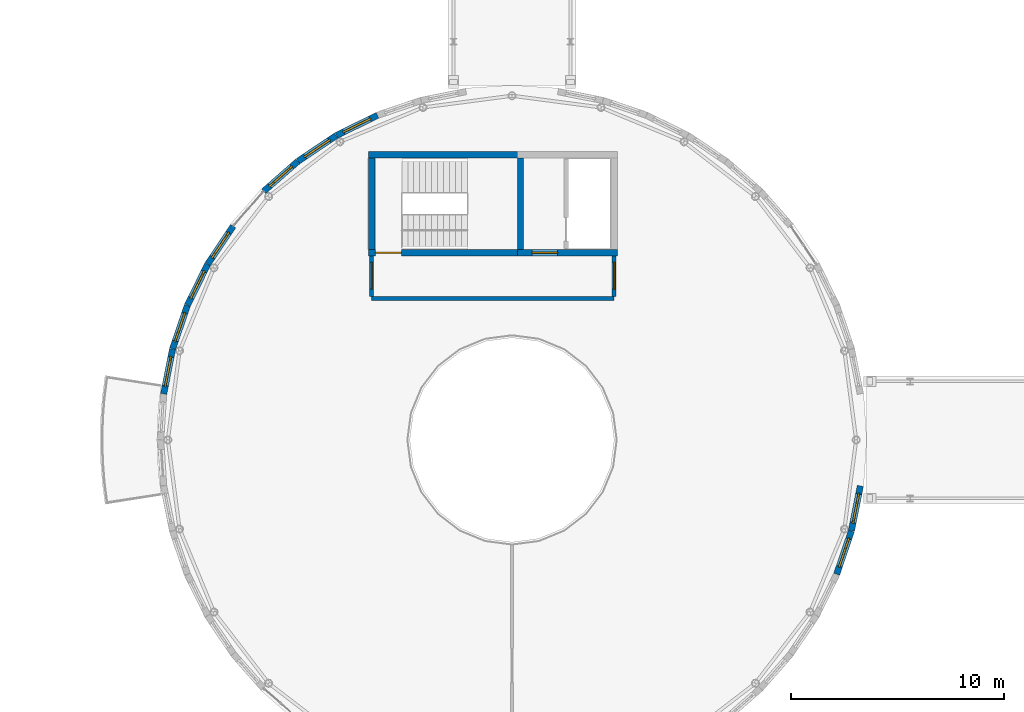
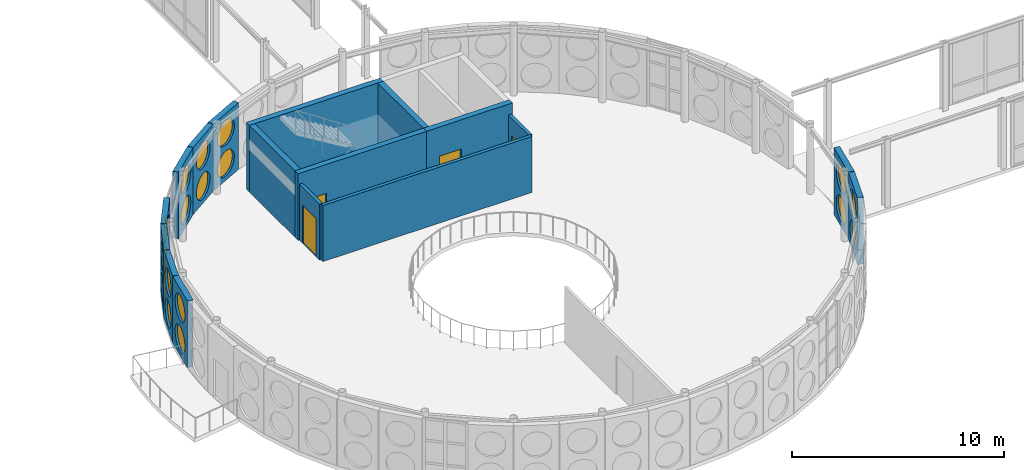
# One storey, part 135 of 165: 18 windows, 17 walls, 4 doors, 22 openings.
"""IFC4 building model written with IfcOpenShell, lengths in metres."""

from ifc_helpers import new_model, si_unit, direction, frame, frame_2d, origin, place, context, subcontext, project, spatial, rectangle, circle, extrude, material, layer, layer_set, type_object, element, fill, save


model = new_model("IFC4")

# Units and contexts
model_context = context("Model", 3, precision=1e-05, world=origin(), true_north=direction((0.0, 1.0)))
body_context = subcontext(model_context, "Body", "Model", "MODEL_VIEW")
ifc_project = project(units=[si_unit("LENGTHUNIT", "METRE"), si_unit("AREAUNIT", "SQUARE_METRE"), si_unit("VOLUMEUNIT", "CUBIC_METRE"), si_unit("PLANEANGLEUNIT", "RADIAN"), si_unit("MASSUNIT", "GRAM", prefix="KILO")], contexts=[model_context])

# Site, building, storey
site_placement = place(None, origin())
site = spatial("IfcSite", under=ifc_project, at=site_placement, CompositionType="ELEMENT")
building_placement = place(site_placement, origin())
building = spatial("IfcBuilding", under=site, at=building_placement, Name="Montecoro Central Library", CompositionType="ELEMENT")
storey_placement = place(building_placement, frame((0.0, 0.0, 5.10009765625)))
storey = spatial("IfcBuildingStorey", under=building, at=storey_placement, Name="L01", CompositionType="ELEMENT", Elevation=5.10009765625)

# Wall, openings, windows
ifc_material_1 = material(Name="Travertine Roman Stone and concrete C35/45", Category="masonry")
ifc_layer_1 = layer(ifc_material_1, 0.294921875)
ifc_layer_set_1 = layer_set([ifc_layer_1], Name="Travertine Roman Stone and concrete C35/45")
wall_type_1 = type_object("IfcWallType", Name="EW-DRM-295", PredefinedType="SOLIDWALL", material=ifc_layer_set_1)
wall_1_placement = place(storey_placement, frame((85.27099609375, 50.657958984375, 0.0), z_axis=(0.0, 0.0, 1.0), x_axis=(-0.897210232885, -0.441603666205, 0.0)))
wall_1 = element("IfcWall", 1, at=wall_1_placement, inside=storey, type_object=wall_type_1, Name="V1-L01-EW-16", PredefinedType="SOLIDWALL", context=body_context, shape_type="SweptSolid", body=[
    extrude(rectangle(XDim=2.14453125, YDim=0.294921875, at=frame_2d((1.072265625, 0.0))), origin(), (0.0, 0.0, 1.0), 3.85498046875),
])
opening_1_placement = place(wall_1_placement, frame((0.35205078125, 0.0, 0.25)))
opening_1 = element("IfcOpeningElement", 2, at=opening_1_placement, cuts=wall_1, Name="Opening WP-02", PredefinedType="OPENING", context=body_context, shape_type="SweptSolid", body=[
    extrude(circle(Radius=0.719970703125, at=frame_2d((0.719970703125, 0.719970703125))), frame((0.0, 0.157470703125, 0.0), z_axis=(0.0, -1.0, 0.0), x_axis=(1.0, 0.0, 0.0)), (0.0, 0.0, 1.0), 0.31494140625),
])
opening_2_placement = place(wall_1_placement, frame((0.35205078125, 0.0, 2.030029296875)))
opening_2 = element("IfcOpeningElement", 3, at=opening_2_placement, cuts=wall_1, Name="Opening WP-01", PredefinedType="OPENING", context=body_context, shape_type="SweptSolid", body=[
    extrude(circle(Radius=0.719970703125, at=frame_2d((0.719970703125, 0.719970703125))), frame((0.0, 0.157470703125, 0.0), z_axis=(0.0, -1.0, 0.0), x_axis=(1.0, 0.0, 0.0)), (0.0, 0.0, 1.0), 0.31494140625),
])
ifc_material_2 = material(Name="Clear sky-blue low-E laminated glazing", Category="glass")
window_type_1 = type_object("IfcWindowType", Name="WN-POR-CLR-144", PartitioningType="SINGLE_PANEL", PredefinedType="WINDOW", material=ifc_material_2)
window_1_placement = place(opening_2_placement, origin())
window_1 = element("IfcWindow", 4, at=window_1_placement, inside=storey, type_object=window_type_1, Name="V1-L01-WP-16-2", OverallHeight=1.43994140625, OverallWidth=1.43994140625, PartitioningType="SINGLE_PANEL", PredefinedType="WINDOW", context=body_context, shape_type="SweptSolid", body=[
    extrude(circle(Radius=0.719970703125, at=frame_2d((0.719970703125, 0.719970703125))), frame((0.0, 0.030029296875, 0.0), z_axis=(0.0, -1.0, 0.0), x_axis=(1.0, 0.0, 0.0)), (0.0, 0.0, 1.0), 0.06005859375),
])
fill(opening_2, window_1)
ifc_material_3 = material(Name="Frosted pearl-white ceramic-fritted glazing", Category="glass")
window_type_2 = type_object("IfcWindowType", Name="WN-POR-FRT-144", PartitioningType="SINGLE_PANEL", PredefinedType="WINDOW", material=ifc_material_3)
window_2_placement = place(opening_1_placement, origin())
window_2 = element("IfcWindow", 5, at=window_2_placement, inside=storey, type_object=window_type_2, Name="V1-L01-WP-16-1", OverallHeight=1.43994140625, OverallWidth=1.43994140625, PartitioningType="SINGLE_PANEL", PredefinedType="WINDOW", context=body_context, shape_type="SweptSolid", body=[
    extrude(circle(Radius=0.719970703125, at=frame_2d((0.719970703125, 0.719970703125))), frame((0.0, 0.030029296875, 0.0), z_axis=(0.0, -1.0, 0.0), x_axis=(1.0, 0.0, 0.0)), (0.0, 0.0, 1.0), 0.06005859375),
])
fill(opening_1, window_2)

wall_2_placement = place(storey_placement, frame((83.3330078125, 49.702880859375, 0.0), z_axis=(0.0, 0.0, 1.0), x_axis=(-0.831138710759, -0.556065143197, 0.0)))
wall_2 = element("IfcWall", 6, at=wall_2_placement, inside=storey, type_object=wall_type_1, Name="V1-L01-EW-17", PredefinedType="SOLIDWALL", context=body_context, shape_type="SweptSolid", body=[
    extrude(rectangle(XDim=2.145263671875, YDim=0.294921875, at=frame_2d((1.07275390625, 0.0))), origin(), (0.0, 0.0, 1.0), 3.85498046875),
])
opening_3_placement = place(wall_2_placement, frame((0.35302734375, 0.0, 0.25)))
opening_3 = element("IfcOpeningElement", 7, at=opening_3_placement, cuts=wall_2, Name="Opening WP-01", PredefinedType="OPENING", context=body_context, shape_type="SweptSolid", body=[
    extrude(circle(Radius=0.719970703125, at=frame_2d((0.719970703125, 0.719970703125))), frame((0.0, 0.157470703125, 0.0), z_axis=(0.0, -1.0, 0.0), x_axis=(1.0, 0.0, 0.0)), (0.0, 0.0, 1.0), 0.31494140625),
])
opening_4_placement = place(wall_2_placement, frame((0.35302734375, 0.0, 2.030029296875)))
opening_4 = element("IfcOpeningElement", 8, at=opening_4_placement, cuts=wall_2, Name="Opening WP-02", PredefinedType="OPENING", context=body_context, shape_type="SweptSolid", body=[
    extrude(circle(Radius=0.719970703125, at=frame_2d((0.719970703125, 0.719970703125))), frame((0.0, 0.157470703125, 0.0), z_axis=(0.0, -1.0, 0.0), x_axis=(1.0, 0.0, 0.0)), (0.0, 0.0, 1.0), 0.31494140625),
])
window_3_placement = place(opening_3_placement, origin())
window_3 = element("IfcWindow", 9, at=window_3_placement, inside=storey, type_object=window_type_1, Name="V1-L01-WP-17-1", OverallHeight=1.43994140625, OverallWidth=1.43994140625, PartitioningType="SINGLE_PANEL", PredefinedType="WINDOW", context=body_context, shape_type="SweptSolid", body=[
    extrude(circle(Radius=0.719970703125, at=frame_2d((0.719970703125, 0.719970703125))), frame((0.0, 0.030029296875, 0.0), z_axis=(0.0, -1.0, 0.0), x_axis=(1.0, 0.0, 0.0)), (0.0, 0.0, 1.0), 0.06005859375),
])
fill(opening_3, window_3)
window_4_placement = place(opening_4_placement, origin())
window_4 = element("IfcWindow", 10, at=window_4_placement, inside=storey, type_object=window_type_2, Name="V1-L01-WP-17-2", OverallHeight=1.43994140625, OverallWidth=1.43994140625, PartitioningType="SINGLE_PANEL", PredefinedType="WINDOW", context=body_context, shape_type="SweptSolid", body=[
    extrude(circle(Radius=0.719970703125, at=frame_2d((0.719970703125, 0.719970703125))), frame((0.0, 0.030029296875, 0.0), z_axis=(0.0, -1.0, 0.0), x_axis=(1.0, 0.0, 0.0)), (0.0, 0.0, 1.0), 0.06005859375),
])
fill(opening_4, window_4)

wall_3_placement = place(storey_placement, frame((81.537109375, 48.5009765625, 0.0), z_axis=(0.0, 0.0, 1.0), x_axis=(-0.751539314958, -0.659688303725, 0.0)))
wall_3 = element("IfcWall", 11, at=wall_3_placement, inside=storey, type_object=wall_type_1, Name="V1-L01-EW-18", PredefinedType="SOLIDWALL", context=body_context, shape_type="SweptSolid", body=[
    extrude(rectangle(XDim=2.14501953125, YDim=0.294921875, at=frame_2d((1.072509765625, 0.0))), origin(), (0.0, 0.0, 1.0), 3.85498046875),
])
opening_5_placement = place(wall_3_placement, frame((0.35205078125, 0.0, 0.25)))
opening_5 = element("IfcOpeningElement", 12, at=opening_5_placement, cuts=wall_3, Name="Opening WP-02", PredefinedType="OPENING", context=body_context, shape_type="SweptSolid", body=[
    extrude(circle(Radius=0.719970703125, at=frame_2d((0.719970703125, 0.719970703125))), frame((0.0, 0.157470703125, 0.0), z_axis=(0.0, -1.0, 0.0), x_axis=(1.0, 0.0, 0.0)), (0.0, 0.0, 1.0), 0.31494140625),
])
opening_6_placement = place(wall_3_placement, frame((0.35205078125, 0.0, 2.030029296875)))
opening_6 = element("IfcOpeningElement", 13, at=opening_6_placement, cuts=wall_3, Name="Opening WP-01", PredefinedType="OPENING", context=body_context, shape_type="SweptSolid", body=[
    extrude(circle(Radius=0.719970703125, at=frame_2d((0.719970703125, 0.719970703125))), frame((0.0, 0.157470703125, 0.0), z_axis=(0.0, -1.0, 0.0), x_axis=(1.0, 0.0, 0.0)), (0.0, 0.0, 1.0), 0.31494140625),
])
window_5_placement = place(opening_6_placement, origin())
window_5 = element("IfcWindow", 14, at=window_5_placement, inside=storey, type_object=window_type_1, Name="V1-L01-WP-18-2", OverallHeight=1.43994140625, OverallWidth=1.43994140625, PartitioningType="SINGLE_PANEL", PredefinedType="WINDOW", context=body_context, shape_type="SweptSolid", body=[
    extrude(circle(Radius=0.719970703125, at=frame_2d((0.719970703125, 0.719970703125))), frame((0.0, 0.030029296875, 0.0), z_axis=(0.0, -1.0, 0.0), x_axis=(1.0, 0.0, 0.0)), (0.0, 0.0, 1.0), 0.06005859375),
])
fill(opening_6, window_5)
window_6_placement = place(opening_5_placement, origin())
window_6 = element("IfcWindow", 15, at=window_6_placement, inside=storey, type_object=window_type_2, Name="V1-L01-WP-18-1", OverallHeight=1.43994140625, OverallWidth=1.43994140625, PartitioningType="SINGLE_PANEL", PredefinedType="WINDOW", context=body_context, shape_type="SweptSolid", body=[
    extrude(circle(Radius=0.719970703125, at=frame_2d((0.719970703125, 0.719970703125))), frame((0.0, 0.030029296875, 0.0), z_axis=(0.0, -1.0, 0.0), x_axis=(1.0, 0.0, 0.0)), (0.0, 0.0, 1.0), 0.06005859375),
])
fill(opening_5, window_6)

wall_4_placement = place(storey_placement, frame((78.489990234375, 45.449951171875, 0.0), z_axis=(0.0, 0.0, 1.0), x_axis=(-0.556065143197, -0.831138710759, 0.0)))
wall_4 = element("IfcWall", 16, at=wall_4_placement, inside=storey, type_object=wall_type_1, Name="V1-L01-EW-20", PredefinedType="SOLIDWALL", context=body_context, shape_type="SweptSolid", body=[
    extrude(rectangle(XDim=2.145263671875, YDim=0.294921875, at=frame_2d((1.07275390625, 0.0))), origin(), (0.0, 0.0, 1.0), 3.85498046875),
])
opening_7_placement = place(wall_4_placement, frame((0.35302734375, 0.0, 0.25)))
opening_7 = element("IfcOpeningElement", 17, at=opening_7_placement, cuts=wall_4, Name="Opening WP-02", PredefinedType="OPENING", context=body_context, shape_type="SweptSolid", body=[
    extrude(circle(Radius=0.719970703125, at=frame_2d((0.719970703125, 0.719970703125))), frame((0.0, 0.157470703125, 0.0), z_axis=(0.0, -1.0, 0.0), x_axis=(1.0, 0.0, 0.0)), (0.0, 0.0, 1.0), 0.31494140625),
])
opening_8_placement = place(wall_4_placement, frame((0.35302734375, 0.0, 2.030029296875)))
opening_8 = element("IfcOpeningElement", 18, at=opening_8_placement, cuts=wall_4, Name="Opening WP-01", PredefinedType="OPENING", context=body_context, shape_type="SweptSolid", body=[
    extrude(circle(Radius=0.719970703125, at=frame_2d((0.719970703125, 0.719970703125))), frame((0.0, 0.157470703125, 0.0), z_axis=(0.0, -1.0, 0.0), x_axis=(1.0, 0.0, 0.0)), (0.0, 0.0, 1.0), 0.31494140625),
])
window_7_placement = place(opening_8_placement, origin())
window_7 = element("IfcWindow", 19, at=window_7_placement, inside=storey, type_object=window_type_1, Name="V1-L01-WP-20-2", OverallHeight=1.43994140625, OverallWidth=1.43994140625, PartitioningType="SINGLE_PANEL", PredefinedType="WINDOW", context=body_context, shape_type="SweptSolid", body=[
    extrude(circle(Radius=0.719970703125, at=frame_2d((0.719970703125, 0.719970703125))), frame((0.0, 0.030029296875, 0.0), z_axis=(0.0, -1.0, 0.0), x_axis=(1.0, 0.0, 0.0)), (0.0, 0.0, 1.0), 0.06005859375),
])
fill(opening_8, window_7)
window_8_placement = place(opening_7_placement, origin())
window_8 = element("IfcWindow", 20, at=window_8_placement, inside=storey, type_object=window_type_2, Name="V1-L01-WP-20-1", OverallHeight=1.43994140625, OverallWidth=1.43994140625, PartitioningType="SINGLE_PANEL", PredefinedType="WINDOW", context=body_context, shape_type="SweptSolid", body=[
    extrude(circle(Radius=0.719970703125, at=frame_2d((0.719970703125, 0.719970703125))), frame((0.0, 0.030029296875, 0.0), z_axis=(0.0, -1.0, 0.0), x_axis=(1.0, 0.0, 0.0)), (0.0, 0.0, 1.0), 0.06005859375),
])
fill(opening_7, window_8)

wall_5_placement = place(storey_placement, frame((77.2890625, 43.653076171875, 0.0), z_axis=(0.0, 0.0, 1.0), x_axis=(-0.441603666205, -0.897210232885, 0.0)))
wall_5 = element("IfcWall", 21, at=wall_5_placement, inside=storey, type_object=wall_type_1, Name="V1-L01-EW-21", PredefinedType="SOLIDWALL", context=body_context, shape_type="SweptSolid", body=[
    extrude(rectangle(XDim=2.14453125, YDim=0.294921875, at=frame_2d((1.072265625, 0.0))), origin(), (0.0, 0.0, 1.0), 3.85498046875),
])
opening_9_placement = place(wall_5_placement, frame((0.35205078125, 0.0, 0.25)))
opening_9 = element("IfcOpeningElement", 22, at=opening_9_placement, cuts=wall_5, Name="Opening WP-01", PredefinedType="OPENING", context=body_context, shape_type="SweptSolid", body=[
    extrude(circle(Radius=0.719970703125, at=frame_2d((0.719970703125, 0.719970703125))), frame((0.0, 0.157470703125, 0.0), z_axis=(0.0, -1.0, 0.0), x_axis=(1.0, 0.0, 0.0)), (0.0, 0.0, 1.0), 0.31494140625),
])
opening_10_placement = place(wall_5_placement, frame((0.35205078125, 0.0, 2.030029296875)))
opening_10 = element("IfcOpeningElement", 23, at=opening_10_placement, cuts=wall_5, Name="Opening WP-02", PredefinedType="OPENING", context=body_context, shape_type="SweptSolid", body=[
    extrude(circle(Radius=0.719970703125, at=frame_2d((0.719970703125, 0.719970703125))), frame((0.0, 0.157470703125, 0.0), z_axis=(0.0, -1.0, 0.0), x_axis=(1.0, 0.0, 0.0)), (0.0, 0.0, 1.0), 0.31494140625),
])
window_9_placement = place(opening_9_placement, origin())
window_9 = element("IfcWindow", 24, at=window_9_placement, inside=storey, type_object=window_type_1, Name="V1-L01-WP-21-1", OverallHeight=1.43994140625, OverallWidth=1.43994140625, PartitioningType="SINGLE_PANEL", PredefinedType="WINDOW", context=body_context, shape_type="SweptSolid", body=[
    extrude(circle(Radius=0.719970703125, at=frame_2d((0.719970703125, 0.719970703125))), frame((0.0, 0.030029296875, 0.0), z_axis=(0.0, -1.0, 0.0), x_axis=(1.0, 0.0, 0.0)), (0.0, 0.0, 1.0), 0.06005859375),
])
fill(opening_9, window_9)
window_10_placement = place(opening_10_placement, origin())
window_10 = element("IfcWindow", 25, at=window_10_placement, inside=storey, type_object=window_type_2, Name="V1-L01-WP-21-2", OverallHeight=1.43994140625, OverallWidth=1.43994140625, PartitioningType="SINGLE_PANEL", PredefinedType="WINDOW", context=body_context, shape_type="SweptSolid", body=[
    extrude(circle(Radius=0.719970703125, at=frame_2d((0.719970703125, 0.719970703125))), frame((0.0, 0.030029296875, 0.0), z_axis=(0.0, -1.0, 0.0), x_axis=(1.0, 0.0, 0.0)), (0.0, 0.0, 1.0), 0.06005859375),
])
fill(opening_10, window_10)

wall_6_placement = place(storey_placement, frame((76.3349609375, 41.714111328125, 0.0), z_axis=(0.0, 0.0, 1.0), x_axis=(-0.321382058047, -0.946949614692, 0.0)))
wall_6 = element("IfcWall", 26, at=wall_6_placement, inside=storey, type_object=wall_type_1, Name="V1-L01-EW-22", PredefinedType="SOLIDWALL", context=body_context, shape_type="SweptSolid", body=[
    extrude(rectangle(XDim=2.143798828125, YDim=0.294921875, at=frame_2d((1.07177734375, 0.0))), origin(), (0.0, 0.0, 1.0), 3.85498046875),
])
opening_11_placement = place(wall_6_placement, frame((0.35205078125, 0.0, 0.25)))
opening_11 = element("IfcOpeningElement", 27, at=opening_11_placement, cuts=wall_6, Name="Opening WP-02", PredefinedType="OPENING", context=body_context, shape_type="SweptSolid", body=[
    extrude(circle(Radius=0.719970703125, at=frame_2d((0.719970703125, 0.719970703125))), frame((0.0, 0.157470703125, 0.0), z_axis=(0.0, -1.0, 0.0), x_axis=(1.0, 0.0, 0.0)), (0.0, 0.0, 1.0), 0.31494140625),
])
opening_12_placement = place(wall_6_placement, frame((0.35205078125, 0.0, 2.030029296875)))
opening_12 = element("IfcOpeningElement", 28, at=opening_12_placement, cuts=wall_6, Name="Opening WP-01", PredefinedType="OPENING", context=body_context, shape_type="SweptSolid", body=[
    extrude(circle(Radius=0.719970703125, at=frame_2d((0.719970703125, 0.719970703125))), frame((0.0, 0.157470703125, 0.0), z_axis=(0.0, -1.0, 0.0), x_axis=(1.0, 0.0, 0.0)), (0.0, 0.0, 1.0), 0.31494140625),
])
window_11_placement = place(opening_12_placement, origin())
window_11 = element("IfcWindow", 29, at=window_11_placement, inside=storey, type_object=window_type_1, Name="V1-L01-WP-22-2", OverallHeight=1.43994140625, OverallWidth=1.43994140625, PartitioningType="SINGLE_PANEL", PredefinedType="WINDOW", context=body_context, shape_type="SweptSolid", body=[
    extrude(circle(Radius=0.719970703125, at=frame_2d((0.719970703125, 0.719970703125))), frame((0.0, 0.030029296875, 0.0), z_axis=(0.0, -1.0, 0.0), x_axis=(1.0, 0.0, 0.0)), (0.0, 0.0, 1.0), 0.06005859375),
])
fill(opening_12, window_11)
window_12_placement = place(opening_11_placement, origin())
window_12 = element("IfcWindow", 30, at=window_12_placement, inside=storey, type_object=window_type_2, Name="V1-L01-WP-22-1", OverallHeight=1.43994140625, OverallWidth=1.43994140625, PartitioningType="SINGLE_PANEL", PredefinedType="WINDOW", context=body_context, shape_type="SweptSolid", body=[
    extrude(circle(Radius=0.719970703125, at=frame_2d((0.719970703125, 0.719970703125))), frame((0.0, 0.030029296875, 0.0), z_axis=(0.0, -1.0, 0.0), x_axis=(1.0, 0.0, 0.0)), (0.0, 0.0, 1.0), 0.06005859375),
])
fill(opening_11, window_12)

wall_7_placement = place(storey_placement, frame((75.64111328125, 39.66796875, 0.0), z_axis=(0.0, 0.0, 1.0), x_axis=(-0.194956014446, -0.98081198628, 0.0)))
wall_7 = element("IfcWall", 31, at=wall_7_placement, inside=storey, type_object=wall_type_1, Name="V1-L01-EW-23", PredefinedType="SOLIDWALL", context=body_context, shape_type="SweptSolid", body=[
    extrude(rectangle(XDim=2.145263671875, YDim=0.294921875, at=frame_2d((1.07275390625, 0.0))), origin(), (0.0, 0.0, 1.0), 3.85498046875),
])
opening_13_placement = place(wall_7_placement, frame((0.35302734375, 0.0, 0.25)))
opening_13 = element("IfcOpeningElement", 32, at=opening_13_placement, cuts=wall_7, Name="Opening WP-01", PredefinedType="OPENING", context=body_context, shape_type="SweptSolid", body=[
    extrude(circle(Radius=0.719970703125, at=frame_2d((0.719970703125, 0.719970703125))), frame((0.0, 0.157470703125, 0.0), z_axis=(0.0, -1.0, 0.0), x_axis=(1.0, 0.0, 0.0)), (0.0, 0.0, 1.0), 0.31494140625),
])
opening_14_placement = place(wall_7_placement, frame((0.35302734375, 0.0, 2.030029296875)))
opening_14 = element("IfcOpeningElement", 33, at=opening_14_placement, cuts=wall_7, Name="Opening WP-02", PredefinedType="OPENING", context=body_context, shape_type="SweptSolid", body=[
    extrude(circle(Radius=0.719970703125, at=frame_2d((0.719970703125, 0.719970703125))), frame((0.0, 0.157470703125, 0.0), z_axis=(0.0, -1.0, 0.0), x_axis=(1.0, 0.0, 0.0)), (0.0, 0.0, 1.0), 0.31494140625),
])
window_13_placement = place(opening_13_placement, origin())
window_13 = element("IfcWindow", 34, at=window_13_placement, inside=storey, type_object=window_type_1, Name="V1-L01-WP-23-1", OverallHeight=1.43994140625, OverallWidth=1.43994140625, PartitioningType="SINGLE_PANEL", PredefinedType="WINDOW", context=body_context, shape_type="SweptSolid", body=[
    extrude(circle(Radius=0.719970703125, at=frame_2d((0.719970703125, 0.719970703125))), frame((0.0, 0.030029296875, 0.0), z_axis=(0.0, -1.0, 0.0), x_axis=(1.0, 0.0, 0.0)), (0.0, 0.0, 1.0), 0.06005859375),
])
fill(opening_13, window_13)
window_14_placement = place(opening_14_placement, origin())
window_14 = element("IfcWindow", 35, at=window_14_placement, inside=storey, type_object=window_type_2, Name="V1-L01-WP-23-2", OverallHeight=1.43994140625, OverallWidth=1.43994140625, PartitioningType="SINGLE_PANEL", PredefinedType="WINDOW", context=body_context, shape_type="SweptSolid", body=[
    extrude(circle(Radius=0.719970703125, at=frame_2d((0.719970703125, 0.719970703125))), frame((0.0, 0.030029296875, 0.0), z_axis=(0.0, -1.0, 0.0), x_axis=(1.0, 0.0, 0.0)), (0.0, 0.0, 1.0), 0.06005859375),
])
fill(opening_14, window_14)

wall_8_placement = place(storey_placement, frame((106.864990234375, 29.0859375, 0.0), z_axis=(0.0, 0.0, 1.0), x_axis=(0.321382058047, 0.946949614692, 0.0)))
wall_8 = element("IfcWall", 36, at=wall_8_placement, inside=storey, type_object=wall_type_1, Name="V1-L01-EW-46", PredefinedType="SOLIDWALL", context=body_context, shape_type="SweptSolid", body=[
    extrude(rectangle(XDim=2.143798828125, YDim=0.294921875, at=frame_2d((1.07177734375, 0.0))), origin(), (0.0, 0.0, 1.0), 3.85498046875),
])
opening_15_placement = place(wall_8_placement, frame((0.35205078125, 0.0, 0.25)))
opening_15 = element("IfcOpeningElement", 37, at=opening_15_placement, cuts=wall_8, Name="Opening WP-02", PredefinedType="OPENING", context=body_context, shape_type="SweptSolid", body=[
    extrude(circle(Radius=0.719970703125, at=frame_2d((0.719970703125, 0.719970703125))), frame((0.0, 0.157470703125, 0.0), z_axis=(0.0, -1.0, 0.0), x_axis=(1.0, 0.0, 0.0)), (0.0, 0.0, 1.0), 0.31494140625),
])
opening_16_placement = place(wall_8_placement, frame((0.35205078125, 0.0, 2.030029296875)))
opening_16 = element("IfcOpeningElement", 38, at=opening_16_placement, cuts=wall_8, Name="Opening WP-01", PredefinedType="OPENING", context=body_context, shape_type="SweptSolid", body=[
    extrude(circle(Radius=0.719970703125, at=frame_2d((0.719970703125, 0.719970703125))), frame((0.0, 0.157470703125, 0.0), z_axis=(0.0, -1.0, 0.0), x_axis=(1.0, 0.0, 0.0)), (0.0, 0.0, 1.0), 0.31494140625),
])
window_15_placement = place(opening_16_placement, origin())
window_15 = element("IfcWindow", 39, at=window_15_placement, inside=storey, type_object=window_type_1, Name="V1-L01-WP-46-2", OverallHeight=1.43994140625, OverallWidth=1.43994140625, PartitioningType="SINGLE_PANEL", PredefinedType="WINDOW", context=body_context, shape_type="SweptSolid", body=[
    extrude(circle(Radius=0.719970703125, at=frame_2d((0.719970703125, 0.719970703125))), frame((0.0, 0.030029296875, 0.0), z_axis=(0.0, -1.0, 0.0), x_axis=(1.0, 0.0, 0.0)), (0.0, 0.0, 1.0), 0.06005859375),
])
fill(opening_16, window_15)
window_16_placement = place(opening_15_placement, origin())
window_16 = element("IfcWindow", 40, at=window_16_placement, inside=storey, type_object=window_type_2, Name="V1-L01-WP-46-1", OverallHeight=1.43994140625, OverallWidth=1.43994140625, PartitioningType="SINGLE_PANEL", PredefinedType="WINDOW", context=body_context, shape_type="SweptSolid", body=[
    extrude(circle(Radius=0.719970703125, at=frame_2d((0.719970703125, 0.719970703125))), frame((0.0, 0.030029296875, 0.0), z_axis=(0.0, -1.0, 0.0), x_axis=(1.0, 0.0, 0.0)), (0.0, 0.0, 1.0), 0.06005859375),
])
fill(opening_15, window_16)

wall_9_placement = place(storey_placement, frame((107.55908203125, 31.132080078125, 0.0), z_axis=(0.0, 0.0, 1.0), x_axis=(0.194846526766, 0.980833742796, 0.0)))
wall_9 = element("IfcWall", 41, at=wall_9_placement, inside=storey, type_object=wall_type_1, Name="V1-L01-EW-47", PredefinedType="SOLIDWALL", context=body_context, shape_type="SweptSolid", body=[
    extrude(rectangle(XDim=2.14501953125, YDim=0.294921875, at=frame_2d((1.072509765625, 0.0))), origin(), (0.0, 0.0, 1.0), 3.85498046875),
])
opening_17_placement = place(wall_9_placement, frame((0.35302734375, 0.0, 0.25)))
opening_17 = element("IfcOpeningElement", 42, at=opening_17_placement, cuts=wall_9, Name="Opening WP-01", PredefinedType="OPENING", context=body_context, shape_type="SweptSolid", body=[
    extrude(circle(Radius=0.719970703125, at=frame_2d((0.719970703125, 0.719970703125))), frame((0.0, 0.157470703125, 0.0), z_axis=(0.0, -1.0, 0.0), x_axis=(1.0, 0.0, 0.0)), (0.0, 0.0, 1.0), 0.31494140625),
])
opening_18_placement = place(wall_9_placement, frame((0.35302734375, 0.0, 2.030029296875)))
opening_18 = element("IfcOpeningElement", 43, at=opening_18_placement, cuts=wall_9, Name="Opening WP-02", PredefinedType="OPENING", context=body_context, shape_type="SweptSolid", body=[
    extrude(circle(Radius=0.719970703125, at=frame_2d((0.719970703125, 0.719970703125))), frame((0.0, 0.157470703125, 0.0), z_axis=(0.0, -1.0, 0.0), x_axis=(1.0, 0.0, 0.0)), (0.0, 0.0, 1.0), 0.31494140625),
])
window_17_placement = place(opening_17_placement, origin())
window_17 = element("IfcWindow", 44, at=window_17_placement, inside=storey, type_object=window_type_1, Name="V1-L01-WP-47-1", OverallHeight=1.43994140625, OverallWidth=1.43994140625, PartitioningType="SINGLE_PANEL", PredefinedType="WINDOW", context=body_context, shape_type="SweptSolid", body=[
    extrude(circle(Radius=0.719970703125, at=frame_2d((0.719970703125, 0.719970703125))), frame((0.0, 0.030029296875, 0.0), z_axis=(0.0, -1.0, 0.0), x_axis=(1.0, 0.0, 0.0)), (0.0, 0.0, 1.0), 0.06005859375),
])
fill(opening_17, window_17)
window_18_placement = place(opening_18_placement, origin())
window_18 = element("IfcWindow", 45, at=window_18_placement, inside=storey, type_object=window_type_2, Name="V1-L01-WP-47-2", OverallHeight=1.43994140625, OverallWidth=1.43994140625, PartitioningType="SINGLE_PANEL", PredefinedType="WINDOW", context=body_context, shape_type="SweptSolid", body=[
    extrude(circle(Radius=0.719970703125, at=frame_2d((0.719970703125, 0.719970703125))), frame((0.0, 0.030029296875, 0.0), z_axis=(0.0, -1.0, 0.0), x_axis=(1.0, 0.0, 0.0)), (0.0, 0.0, 1.0), 0.06005859375),
])
fill(opening_18, window_18)

# Wall
ifc_material_4 = material(Name="Gypsum fire-rated partition")
ifc_layer_2 = layer(ifc_material_4, 0.179931640625)
ifc_layer_set_2 = layer_set([ifc_layer_2], Name="Gypsum fire-rated partition")
wall_type_2 = type_object("IfcWallType", Name="IW-COR-180", PredefinedType="PARTITIONING", material=ifc_layer_set_2)
wall_10_placement = place(storey_placement, frame((85.0, 42.050048828125, 0.0), z_axis=(0.0, 0.0, 1.0), x_axis=(1.0, 0.0, 0.0)))
element("IfcWall", 46, at=wall_10_placement, inside=storey, type_object=wall_type_2, Name="V1-L01-FOY-WS", PredefinedType="PARTITIONING", context=body_context, shape_type="SweptSolid", body=[
    extrude(rectangle(XDim=11.39990234375, YDim=0.179931640625, at=frame_2d((5.699951171875, 0.0))), origin(), (0.0, 0.0, 1.0), 3.22998046875),
])

# Wall, opening, door
wall_11_placement = place(storey_placement, frame((85.0, 42.139892578125, 0.0), z_axis=(0.0, 0.0, 1.0), x_axis=(0.0, 1.0, 0.0)))
wall_11 = element("IfcWall", 47, at=wall_11_placement, inside=storey, type_object=wall_type_2, Name="V1-L01-FOY-WW", PredefinedType="PARTITIONING", context=body_context, shape_type="SweptSolid", body=[
    extrude(rectangle(XDim=1.91015625, YDim=0.179931640625, at=frame_2d((0.955078125, 0.0))), origin(), (0.0, 0.0, 1.0), 3.22998046875),
])
opening_19_placement = place(wall_11_placement, frame((0.35009765625, 0.0, 0.0)))
opening_19 = element("IfcOpeningElement", 48, at=opening_19_placement, cuts=wall_11, Name="Opening ID-09", PredefinedType="OPENING", context=body_context, shape_type="SweptSolid", body=[
    extrude(rectangle(XDim=1.260009765625, YDim=2.199951171875, at=frame_2d((0.6298828125, 1.10009765625))), frame((0.0, 0.099853515625, 0.0), z_axis=(0.0, -1.0, 0.0), x_axis=(1.0, 0.0, 0.0)), (0.0, 0.0, 1.0), 0.199951171875),
])
ifc_material_5 = material(Name="Solid oak and fire-rated steel door", Category="steel")
door_type_1 = type_object("IfcDoorType", Name="ID-RDG-126", OperationType="NOTDEFINED", PredefinedType="DOOR", material=ifc_material_5)
door_1_placement = place(opening_19_placement, origin())
door_1 = element("IfcDoor", 49, at=door_1_placement, inside=storey, type_object=door_type_1, Name="DR-SP-V1-L01-R1", OperationType="SINGLE_SWING_LEFT", OverallHeight=2.199951171875, OverallWidth=1.260009765625, PredefinedType="DOOR", context=body_context, shape_type="SweptSolid", body=[
    extrude(rectangle(XDim=1.260009765625, YDim=2.199951171875, at=frame_2d((0.6298828125, 1.10009765625))), frame((0.0, 0.02490234375, 0.0), z_axis=(0.0, -1.0, 0.0), x_axis=(1.0, 0.0, 0.0)), (0.0, 0.0, 1.0), 0.050048828125),
])
fill(opening_19, door_1)

wall_12_placement = place(storey_placement, frame((96.39990234375, 42.139892578125, 0.0), z_axis=(0.0, 0.0, 1.0), x_axis=(0.0, 1.0, 0.0)))
wall_12 = element("IfcWall", 50, at=wall_12_placement, inside=storey, type_object=wall_type_2, Name="V1-L01-FOY-WE", PredefinedType="PARTITIONING", context=body_context, shape_type="SweptSolid", body=[
    extrude(rectangle(XDim=1.91015625, YDim=0.179931640625, at=frame_2d((0.955078125, 0.0))), origin(), (0.0, 0.0, 1.0), 3.22998046875),
])
opening_20_placement = place(wall_12_placement, frame((0.35009765625, 0.0, 0.0)))
opening_20 = element("IfcOpeningElement", 51, at=opening_20_placement, cuts=wall_12, Name="Opening ID-09", PredefinedType="OPENING", context=body_context, shape_type="SweptSolid", body=[
    extrude(rectangle(XDim=1.260009765625, YDim=2.199951171875, at=frame_2d((0.6298828125, 1.10009765625))), frame((0.0, 0.099853515625, 0.0), z_axis=(0.0, -1.0, 0.0), x_axis=(1.0, 0.0, 0.0)), (0.0, 0.0, 1.0), 0.199951171875),
])
door_2_placement = place(opening_20_placement, origin())
door_2 = element("IfcDoor", 52, at=door_2_placement, inside=storey, type_object=door_type_1, Name="DR-SP-V1-L01-R2", OperationType="SINGLE_SWING_RIGHT", OverallHeight=2.199951171875, OverallWidth=1.260009765625, PredefinedType="DOOR", context=body_context, shape_type="SweptSolid", body=[
    extrude(rectangle(XDim=1.260009765625, YDim=2.199951171875, at=frame_2d((0.6298828125, 1.10009765625))), frame((0.0, 0.02490234375, 0.0), z_axis=(0.0, -1.0, 0.0), x_axis=(1.0, 0.0, 0.0)), (0.0, 0.0, 1.0), 0.050048828125),
])
fill(opening_20, door_2)

ifc_material_6 = material(Name="Concrete C35/45", Category="concrete")
ifc_layer_3 = layer(ifc_material_6, 0.300048828125)
ifc_layer_set_3 = layer_set([ifc_layer_3], Name="Concrete C35/45")
wall_type_3 = type_object("IfcWallType", Name="IW-SHR-300", PredefinedType="SHEAR", material=ifc_layer_set_3)
wall_13_placement = place(storey_placement, frame((91.85009765625, 44.199951171875, 0.0), z_axis=(0.0, 0.0, 1.0), x_axis=(1.0, 0.0, 0.0)))
wall_13 = element("IfcWall", 53, at=wall_13_placement, inside=storey, type_object=wall_type_3, Name="C1-L01-LWS", PredefinedType="SHEAR", context=body_context, shape_type="SweptSolid", body=[
    extrude(rectangle(XDim=4.699951171875, YDim=0.300048828125, at=frame_2d((2.35009765625, 0.0))), origin(), (0.0, 0.0, 1.0), 3.844970703125),
])
opening_21_placement = place(wall_13_placement, frame((0.699951171875, 0.0, 0.0)))
opening_21 = element("IfcOpeningElement", 54, at=opening_21_placement, cuts=wall_13, Name="Opening ID-03", PredefinedType="OPENING", context=body_context, shape_type="SweptSolid", body=[
    extrude(rectangle(XDim=1.199951171875, YDim=2.159912109375, at=frame_2d((0.60009765625, 1.080078125))), frame((0.0, 0.159912109375, 0.0), z_axis=(0.0, -1.0, 0.0), x_axis=(1.0, 0.0, 0.0)), (0.0, 0.0, 1.0), 0.320068359375),
])
door_type_2 = type_object("IfcDoorType", Name="ID-FFL-120", OperationType="NOTDEFINED", PredefinedType="DOOR", material=ifc_material_5)
door_3_placement = place(opening_21_placement, origin())
door_3 = element("IfcDoor", 55, at=door_3_placement, inside=storey, type_object=door_type_2, Name="C1-L01-DLOB", OperationType="SINGLE_SWING_LEFT", OverallHeight=2.159912109375, OverallWidth=1.199951171875, PredefinedType="DOOR", context=body_context, shape_type="SweptSolid", body=[
    extrude(rectangle(XDim=1.199951171875, YDim=2.159912109375, at=frame_2d((0.60009765625, 1.080078125))), frame((0.0, 0.02490234375, 0.0), z_axis=(0.0, -1.0, 0.0), x_axis=(1.0, 0.0, 0.0)), (0.0, 0.0, 1.0), 0.050048828125),
])
fill(opening_21, door_3)

wall_14_placement = place(storey_placement, frame((84.85009765625, 44.199951171875, 0.0), z_axis=(0.0, 0.0, 1.0), x_axis=(1.0, 0.0, 0.0)))
wall_14 = element("IfcWall", 56, at=wall_14_placement, inside=storey, type_object=wall_type_3, Name="C1-L01-WS", PredefinedType="SHEAR", context=body_context, shape_type="SweptSolid", body=[
    extrude(rectangle(XDim=7.2998046875, YDim=0.300048828125, at=frame_2d((3.64990234375, 0.0))), origin(), (0.0, 0.0, 1.0), 3.844970703125),
])
opening_22_placement = place(wall_14_placement, frame((0.330078125, 0.0, 0.0)))
opening_22 = element("IfcOpeningElement", 57, at=opening_22_placement, cuts=wall_14, Name="Opening ID-01", PredefinedType="OPENING", context=body_context, shape_type="SweptSolid", body=[
    extrude(rectangle(XDim=1.219970703125, YDim=2.179931640625, at=frame_2d((0.60986328125, 1.08984375))), frame((0.0, 0.159912109375, 0.0), z_axis=(0.0, -1.0, 0.0), x_axis=(1.0, 0.0, 0.0)), (0.0, 0.0, 1.0), 0.320068359375),
])
door_type_3 = type_object("IfcDoorType", Name="ID-STR-140", OperationType="NOTDEFINED", PredefinedType="DOOR", material=ifc_material_5)
door_4_placement = place(opening_22_placement, origin())
door_4 = element("IfcDoor", 58, at=door_4_placement, inside=storey, type_object=door_type_3, Name="C1-L01-DSTR", OperationType="SINGLE_SWING_RIGHT", OverallHeight=2.179931640625, OverallWidth=1.219970703125, PredefinedType="DOOR", context=body_context, shape_type="SweptSolid", body=[
    extrude(rectangle(XDim=1.219970703125, YDim=2.179931640625, at=frame_2d((0.60986328125, 1.08984375))), frame((0.0, 0.02490234375, 0.0), z_axis=(0.0, -1.0, 0.0), x_axis=(1.0, 0.0, 0.0)), (0.0, 0.0, 1.0), 0.050048828125),
])
fill(opening_22, door_4)

# Walls
wall_15_placement = place(storey_placement, frame((84.85009765625, 48.800048828125, 0.0), z_axis=(0.0, 0.0, 1.0), x_axis=(1.0, 0.0, 0.0)))
element("IfcWall", 59, at=wall_15_placement, inside=storey, type_object=wall_type_3, Name="C1-L01-WN", PredefinedType="SHEAR", context=body_context, shape_type="SweptSolid", body=[
    extrude(rectangle(XDim=7.2998046875, YDim=0.300048828125, at=frame_2d((3.64990234375, 0.0))), origin(), (0.0, 0.0, 1.0), 3.844970703125),
])
for number, where, z_axis, x_axis, name in (
    (60, (85.0, 44.35009765625, 0.0), (0.0, 0.0, 1.0), (0.0, 1.0, 0.0), "C1-L01-WW"),
    (61, (92.0, 44.35009765625, 0.0), (0.0, 0.0, 1.0), (0.0, 1.0, 0.0), "C1-L01-WE"),
):
    element("IfcWall", number, at=place(storey_placement, frame(where, z_axis=z_axis, x_axis=x_axis)), inside=storey, type_object=wall_type_3, Name=name, PredefinedType="SHEAR", context=body_context, shape_type="SweptSolid", body=[
        extrude(rectangle(XDim=4.2998046875, YDim=0.300048828125, at=frame_2d((2.14990234375, 0.0))), origin(), (0.0, 0.0, 1.0), 3.844970703125),
    ])

save(model, "model.ifc")
